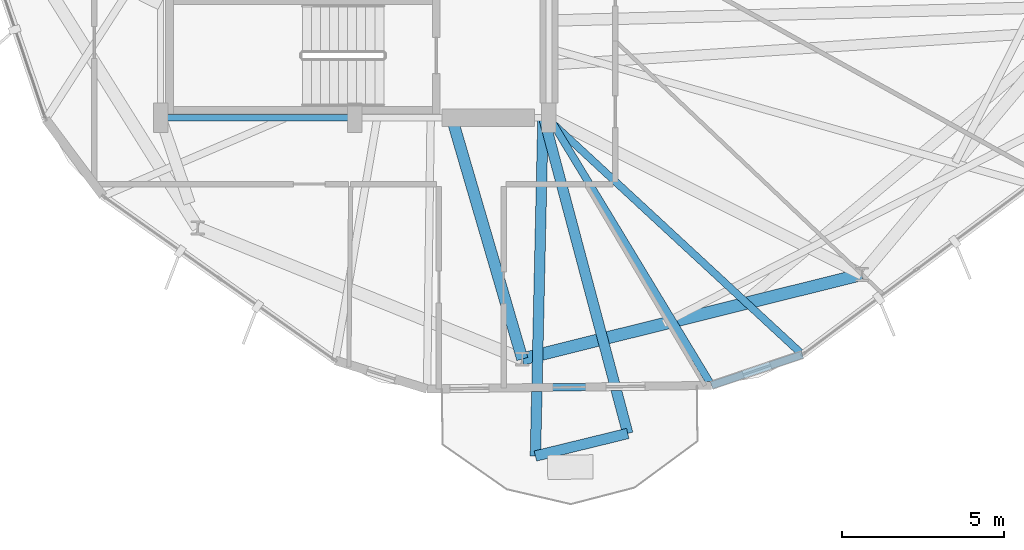
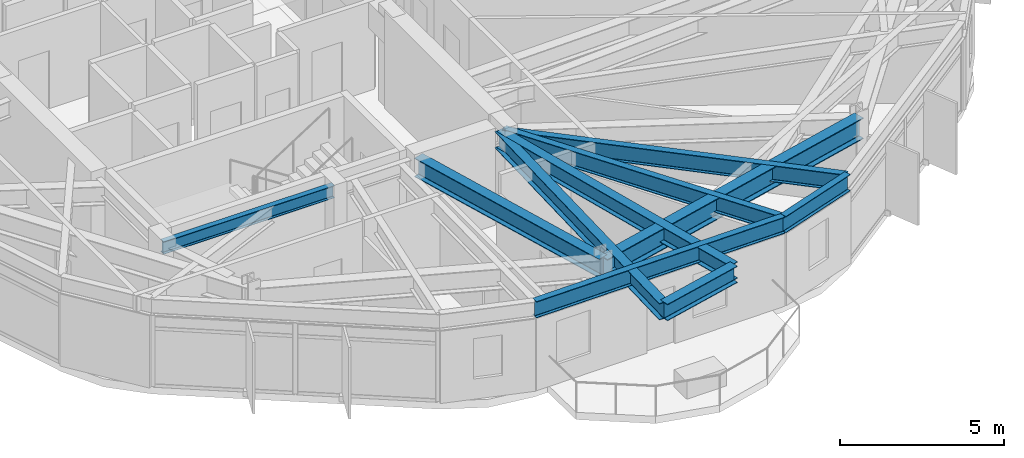
# One storey, part 4 of 27: 10 beams.
"""IFC4 building model written with IfcOpenShell, lengths in metres."""

from ifc_helpers import new_model, si_unit, direction, frame, origin, origin_2d, place, context, subcontext, project, spatial, i_section, extrude, material, material_profile, profile_set, type_object, element, save


model = new_model("IFC4")

# Units and contexts
model_context = context("Model", 3, precision=1e-05, world=origin(), true_north=direction((0.0, 1.0)))
body_context = subcontext(model_context, "Body", "Model", "MODEL_VIEW")
ifc_project = project(units=[si_unit("LENGTHUNIT", "METRE"), si_unit("AREAUNIT", "SQUARE_METRE"), si_unit("VOLUMEUNIT", "CUBIC_METRE"), si_unit("PLANEANGLEUNIT", "RADIAN"), si_unit("MASSUNIT", "GRAM", prefix="KILO")], contexts=[model_context])

# Site, building, storey
site_placement = place(None, origin())
site = spatial("IfcSite", under=ifc_project, at=site_placement, CompositionType="ELEMENT")
building_placement = place(site_placement, origin())
building = spatial("IfcBuilding", under=site, at=building_placement, Name="Soratama Intermodal Tower", CompositionType="ELEMENT")
storey_placement = place(building_placement, frame((0.0, 0.0, 167.800048828125)))
storey = spatial("IfcBuildingStorey", under=building, at=storey_placement, Name="L41", CompositionType="ELEMENT", Elevation=167.800048828125)

# Beams
ifc_material_1 = material(Name="Structural steel ASTM A992 Grade 50", Category="steel")
ifc_material_profile_1 = material_profile(ifc_material_1, i_section(OverallWidth=0.324951171875, OverallDepth=0.615966796875, WebThickness=0.013916015625, FlangeThickness=0.021484375, FilletRadius=0.013916015625, at=origin_2d()), Name="W24X117")
ifc_profile_set_1 = profile_set([ifc_material_profile_1], Name="Structural steel ASTM A992 Grade 50")
beam_type_1 = type_object("IfcBeamType", Name="BM-CANT-W24X117", PredefinedType="BEAM", material=ifc_profile_set_1)
beam_1_placement = place(storey_placement, frame((44.18310546875, 4.5458984375, 2.991943359375), z_axis=(0.971466672659, 0.237176103167, 0.0), x_axis=(-0.237176103167, 0.971466672659, 0.0)))
element("IfcBeam", 1, at=beam_1_placement, inside=storey, type_object=beam_type_1, Name="BM-L41-CBHDR-3", PredefinedType="BEAM", context=body_context, shape_type="SweptSolid", body=[
    extrude(i_section(OverallWidth=0.324951171875, OverallDepth=0.615966796875, WebThickness=0.013916015625, FlangeThickness=0.021484375, FilletRadius=0.013916015625, at=origin_2d()), origin(), (0.0, 0.0, 1.0), 2.938720703125),
])
beam_2_placement = place(storey_placement, frame((44.4169921875, 14.9599609375, 2.991943359375), z_axis=(-0.022453077789, -0.999747897871, 0.0), x_axis=(0.999747897871, -0.022453077789, 0.0)))
element("IfcBeam", 2, at=beam_2_placement, inside=storey, type_object=beam_type_1, Name="BM-L41-CANT-3-1", PredefinedType="BEAM", context=body_context, shape_type="SweptSolid", body=[
    extrude(i_section(OverallWidth=0.324951171875, OverallDepth=0.615966796875, WebThickness=0.013916015625, FlangeThickness=0.021484375, FilletRadius=0.013916015625, at=origin_2d()), origin(), (0.0, 0.0, 1.0), 10.416748046875),
])
beam_3_placement = place(storey_placement, frame((44.4541015625, 14.9609375, 2.991943359375), z_axis=(0.256967462972, -0.966420055139, 0.0), x_axis=(0.966420055139, 0.256967462972, 0.0)))
element("IfcBeam", 3, at=beam_3_placement, inside=storey, type_object=beam_type_1, Name="BM-L41-CANT-3-2", PredefinedType="BEAM", context=body_context, shape_type="SweptSolid", body=[
    extrude(i_section(OverallWidth=0.324951171875, OverallDepth=0.615966796875, WebThickness=0.013916015625, FlangeThickness=0.021484375, FilletRadius=0.013916015625, at=origin_2d()), origin(), (0.0, 0.0, 1.0), 10.0556640625),
])
ifc_material_2 = material(Name="Structural steel ASTM A992 Grade 50", Category="steel")
ifc_material_profile_2 = material_profile(ifc_material_2, i_section(OverallWidth=0.19091796875, OverallDepth=0.4599609375, WebThickness=0.010009765625, FlangeThickness=0.01611328125, FilletRadius=0.010986328125, at=origin_2d()), Name="W18X55")
ifc_profile_set_2 = profile_set([ifc_material_profile_2], Name="Structural steel ASTM A992 Grade 50")
beam_type_2 = type_object("IfcBeamType", Name="BM-FLR-W18X55", PredefinedType="BEAM", material=ifc_profile_set_2)
beam_4_placement = place(storey_placement, frame((32.60009765625, 15.0, 3.070068359375), z_axis=(1.0, 0.0, 0.0), x_axis=(0.0, 1.0, 0.0)))
element("IfcBeam", 4, at=beam_4_placement, inside=storey, type_object=beam_type_2, Name="BM-L41-CRING-01", PredefinedType="BEAM", context=body_context, shape_type="SweptSolid", body=[
    extrude(i_section(OverallWidth=0.19091796875, OverallDepth=0.4599609375, WebThickness=0.010009765625, FlangeThickness=0.01611328125, FilletRadius=0.010986328125, at=origin_2d()), origin(), (0.0, 0.0, 1.0), 6.0),
])
ifc_material_3 = material(Name="Structural steel ASTM A992 Grade 50", Category="steel")
ifc_material_profile_3 = material_profile(ifc_material_3, i_section(OverallWidth=0.35498046875, OverallDepth=0.695068359375, WebThickness=0.015380859375, FlangeThickness=0.02490234375, FilletRadius=0.01611328125, at=origin_2d()), Name="W27X146")
ifc_profile_set_3 = profile_set([ifc_material_profile_3], Name="Structural steel ASTM A992 Grade 50")
beam_type_3 = type_object("IfcBeamType", Name="BM-RING-W27X146", PredefinedType="BEAM", material=ifc_profile_set_3)
beam_5_placement = place(storey_placement, frame((41.60009765625, 15.0, 2.952392578125), z_axis=(0.280473008484, -0.959861912731, 0.0), x_axis=(0.959861912731, 0.280473008484, 0.0)))
element("IfcBeam", 5, at=beam_5_placement, inside=storey, type_object=beam_type_3, Name="BM-L41-RAD-08", PredefinedType="BEAM", context=body_context, shape_type="SweptSolid", body=[
    extrude(i_section(OverallWidth=0.35498046875, OverallDepth=0.695068359375, WebThickness=0.015380859375, FlangeThickness=0.02490234375, FilletRadius=0.01611328125, at=origin_2d()), origin(), (0.0, 0.0, 1.0), 7.768798828125),
])
ifc_material_4 = material(Name="Structural steel ASTM A992 Grade 50", Category="steel")
ifc_material_profile_4 = material_profile(ifc_material_4, i_section(OverallWidth=0.382080078125, OverallDepth=0.779052734375, WebThickness=0.01806640625, FlangeThickness=0.030029296875, FilletRadius=0.01806640625, at=origin_2d()), Name="W30X191")
ifc_profile_set_4 = profile_set([ifc_material_profile_4], Name="Structural steel ASTM A992 Grade 50")
beam_type_4 = type_object("IfcBeamType", Name="BM-RING-W30X191", PredefinedType="BEAM", material=ifc_profile_set_4)
beam_6_placement = place(storey_placement, frame((43.779052734375, 7.54296875, 2.910400390625), z_axis=(0.970310893227, 0.241861056155, 0.0), x_axis=(-0.241861056155, 0.970310893227, 0.0)))
element("IfcBeam", 6, at=beam_6_placement, inside=storey, type_object=beam_type_4, Name="BM-L41-RING-08", PredefinedType="BEAM", context=body_context, shape_type="SweptSolid", body=[
    extrude(i_section(OverallWidth=0.382080078125, OverallDepth=0.779052734375, WebThickness=0.01806640625, FlangeThickness=0.030029296875, FilletRadius=0.01806640625, at=origin_2d()), origin(), (0.0, 0.0, 1.0), 10.81591796875),
])
ifc_material_5 = material(Name="Structural steel ASTM A992 Grade 50", Category="steel")
ifc_material_profile_5 = material_profile(ifc_material_5, i_section(OverallWidth=0.22900390625, OverallDepth=0.612060546875, WebThickness=0.011962890625, FlangeThickness=0.01953125, FilletRadius=0.012939453125, at=origin_2d()), Name="W24X84")
ifc_profile_set_5 = profile_set([ifc_material_profile_5], Name="Structural steel ASTM A992 Grade 50")
beam_type_5 = type_object("IfcBeamType", Name="BM-SPN-W24X84", PredefinedType="SPANDREL", material=ifc_profile_set_5)
beam_7_placement = place(storey_placement, frame((40.8349609375, 6.616943359375, 2.993896484375), z_axis=(0.999920174289, 0.012635072187, 0.0), x_axis=(-0.012635072187, 0.999920174289, 0.0)))
element("IfcBeam", 7, at=beam_7_placement, inside=storey, type_object=beam_type_5, Name="BS-L41-F07", PredefinedType="SPANDREL", context=body_context, shape_type="SweptSolid", body=[
    extrude(i_section(OverallWidth=0.22900390625, OverallDepth=0.612060546875, WebThickness=0.011962890625, FlangeThickness=0.01953125, FilletRadius=0.012939453125, at=origin_2d()), origin(), (0.0, 0.0, 1.0), 8.791748046875),
])
beam_8_placement = place(storey_placement, frame((49.6259765625, 6.72802734375, 2.993896484375), z_axis=(0.947099385043, 0.320940422587, 0.0), x_axis=(-0.320940422587, 0.947099385043, 0.0)))
element("IfcBeam", 8, at=beam_8_placement, inside=storey, type_object=beam_type_5, Name="BS-L41-CRN07", PredefinedType="SPANDREL", context=body_context, shape_type="SweptSolid", body=[
    extrude(i_section(OverallWidth=0.22900390625, OverallDepth=0.612060546875, WebThickness=0.011962890625, FlangeThickness=0.01953125, FilletRadius=0.012939453125, at=origin_2d()), origin(), (0.0, 0.0, 1.0), 2.966064453125),
])
ifc_material_6 = material(Name="Structural steel ASTM A992 Grade 50", Category="steel")
ifc_material_profile_6 = material_profile(ifc_material_6, i_section(OverallWidth=0.22900390625, OverallDepth=0.612060546875, WebThickness=0.011962890625, FlangeThickness=0.01953125, FilletRadius=0.012939453125, at=origin_2d()), Name="W24X84")
ifc_profile_set_6 = profile_set([ifc_material_profile_6], Name="Structural steel ASTM A992 Grade 50")
beam_type_6 = type_object("IfcBeamType", Name="BM-TIE-W24X84", PredefinedType="BEAM", material=ifc_profile_set_6)
beam_9_placement = place(storey_placement, frame((44.62109375, 14.989990234375, 2.993896484375), z_axis=(0.518122459408, -0.855306446285, 0.0), x_axis=(0.855306446285, 0.518122459408, 0.0)))
element("IfcBeam", 9, at=beam_9_placement, inside=storey, type_object=beam_type_6, Name="BM-L41-TIE1-07", PredefinedType="BEAM", context=body_context, shape_type="SweptSolid", body=[
    extrude(i_section(OverallWidth=0.22900390625, OverallDepth=0.612060546875, WebThickness=0.011962890625, FlangeThickness=0.01953125, FilletRadius=0.012939453125, at=origin_2d()), origin(), (0.0, 0.0, 1.0), 9.65966796875),
])
beam_10_placement = place(storey_placement, frame((44.550048828125, 14.972900390625, 2.993896484375), z_axis=(0.734130315394, -0.679008600844, 0.0), x_axis=(0.679008600844, 0.734130315394, 0.0)))
element("IfcBeam", 10, at=beam_10_placement, inside=storey, type_object=beam_type_6, Name="BM-L41-TIE0-08", PredefinedType="BEAM", context=body_context, shape_type="SweptSolid", body=[
    extrude(i_section(OverallWidth=0.22900390625, OverallDepth=0.612060546875, WebThickness=0.011962890625, FlangeThickness=0.01953125, FilletRadius=0.012939453125, at=origin_2d()), origin(), (0.0, 0.0, 1.0), 10.74072265625),
])

save(model, "model.ifc")
